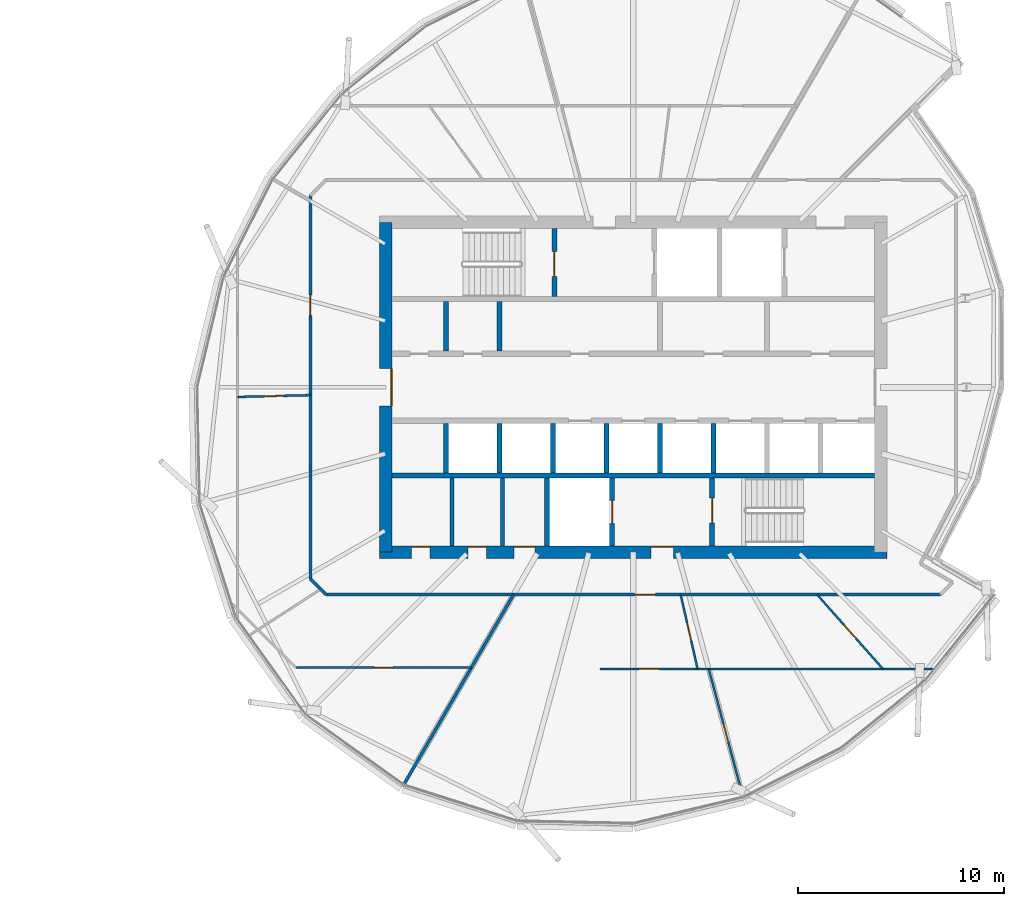
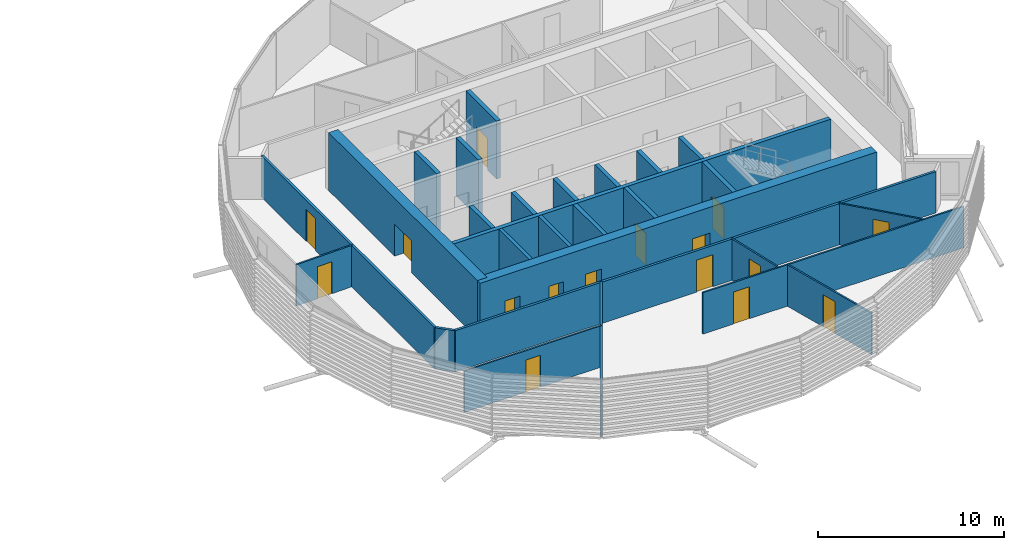
# One storey, part 22 of 37: 28 walls, 16 doors, 16 openings.
"""IFC4 building model written with IfcOpenShell, lengths in metres."""

from ifc_helpers import new_model, si_unit, direction, frame, frame_2d, origin, place, context, subcontext, project, spatial, rectangle, extrude, material, layer, layer_set, type_object, element, fill, save


model = new_model("IFC4")

# Units and contexts
model_context = context("Model", 3, precision=1e-05, world=origin(), true_north=direction((0.0, 1.0)))
body_context = subcontext(model_context, "Body", "Model", "MODEL_VIEW")
ifc_project = project(units=[si_unit("LENGTHUNIT", "METRE"), si_unit("AREAUNIT", "SQUARE_METRE"), si_unit("VOLUMEUNIT", "CUBIC_METRE"), si_unit("PLANEANGLEUNIT", "RADIAN"), si_unit("MASSUNIT", "GRAM", prefix="KILO")], contexts=[model_context])

# Site, building, storey
site_placement = place(None, origin())
site = spatial("IfcSite", under=ifc_project, at=site_placement, CompositionType="ELEMENT")
building_placement = place(site_placement, origin())
building = spatial("IfcBuilding", under=site, at=building_placement, Name="Rimbun Link Towers", CompositionType="ELEMENT")
storey_placement = place(building_placement, frame((0.0, 0.0, 166.5)))
storey = spatial("IfcBuildingStorey", under=building, at=storey_placement, Name="L40", CompositionType="ELEMENT", Elevation=166.5)

# Walls
ifc_material_1 = material(Name="Masonry blockwork", Category="masonry")
ifc_layer_1 = layer(ifc_material_1, 0.199951171875)
ifc_layer_set_1 = layer_set([ifc_layer_1], Name="Core partition 200")
wall_type_1 = type_object("IfcWallType", Name="Core partition 200", PredefinedType="PARTITIONING", material=ifc_layer_set_1)
for number, where, z_axis, x_axis, name in (
    (1, (22.949951171875, -4.39990234375, 0.0), (0.0, 0.0, 1.0), (0.0, -1.0, 0.0), "L40 T2 core wall C1"),
    (2, (25.39990234375, -4.39990234375, 0.0), (0.0, 0.0, 1.0), (0.0, -1.0, 0.0), "L40 T2 core wall C2"),
):
    element("IfcWall", number, at=place(storey_placement, frame(where, z_axis=z_axis, x_axis=x_axis)), inside=storey, type_object=wall_type_1, Name=name, PredefinedType="PARTITIONING", context=body_context, shape_type="SweptSolid", body=[
        extrude(rectangle(XDim=3.300048828125, YDim=0.199951171875, at=frame_2d((1.64990234375, 0.0))), origin(), (0.0, 0.0, 1.0), 3.800048828125),
    ])

# Wall, openings, doors
ifc_material_2 = material(Name="Concrete C60/75", Category="concrete")
ifc_layer_2 = layer(ifc_material_2, 0.60009765625)
ifc_layer_set_2 = layer_set([ifc_layer_2], Name="Core shear wall 600")
wall_type_2 = type_object("IfcWallType", Name="Core shear wall 600", PredefinedType="SHEAR", material=ifc_layer_set_2)
wall_1_placement = place(storey_placement, frame((19.449951171875, -8.0, 0.0), z_axis=(0.0, 0.0, 1.0), x_axis=(1.0, 0.0, 0.0)))
wall_1 = element("IfcWall", 3, at=wall_1_placement, inside=storey, type_object=wall_type_2, Name="L40 T2 core wall S", PredefinedType="SHEAR", context=body_context, shape_type="SweptSolid", body=[
    extrude(rectangle(XDim=24.60009765625, YDim=0.60009765625, at=frame_2d((12.300048828125, 0.0))), origin(), (0.0, 0.0, 1.0), 3.800048828125),
])
opening_1_placement = place(wall_1_placement, frame((13.14990234375, 0.0, 0.0)))
opening_1 = element("IfcOpeningElement", 4, at=opening_1_placement, cuts=wall_1, Name="Opening C2DCF01S", PredefinedType="OPENING", context=body_context, shape_type="SweptSolid", body=[
    extrude(rectangle(XDim=1.10009765625, YDim=2.10009765625, at=frame_2d((0.550048828125, 1.050048828125))), frame((0.0, 0.31005859375, 0.0), z_axis=(0.0, -1.0, 0.0), x_axis=(1.0, 0.0, 0.0)), (0.0, 0.0, 1.0), 0.6201171875),
])
opening_2_placement = place(wall_1_placement, frame((1.550048828125, 0.0, 0.0)))
opening_2 = element("IfcOpeningElement", 5, at=opening_2_placement, cuts=wall_1, Name="Opening C2DWC02S", PredefinedType="OPENING", context=body_context, shape_type="SweptSolid", body=[
    extrude(rectangle(XDim=0.89990234375, YDim=2.10009765625, at=frame_2d((0.449951171875, 1.050048828125))), frame((0.0, 0.31005859375, 0.0), z_axis=(0.0, -1.0, 0.0), x_axis=(1.0, 0.0, 0.0)), (0.0, 0.0, 1.0), 0.6201171875),
])
opening_3_placement = place(wall_1_placement, frame((4.27490234375, 0.0, 0.0)))
opening_3 = element("IfcOpeningElement", 6, at=opening_3_placement, cuts=wall_1, Name="Opening C2DWC03S", PredefinedType="OPENING", context=body_context, shape_type="SweptSolid", body=[
    extrude(rectangle(XDim=0.89990234375, YDim=2.10009765625, at=frame_2d((0.449951171875, 1.050048828125))), frame((0.0, 0.31005859375, 0.0), z_axis=(0.0, -1.0, 0.0), x_axis=(1.0, 0.0, 0.0)), (0.0, 0.0, 1.0), 0.6201171875),
])
opening_4_placement = place(wall_1_placement, frame((6.52490234375, 0.0, 0.0)))
opening_4 = element("IfcOpeningElement", 7, at=opening_4_placement, cuts=wall_1, Name="Opening C2DAW04S", PredefinedType="OPENING", context=body_context, shape_type="SweptSolid", body=[
    extrude(rectangle(XDim=1.0, YDim=2.10009765625, at=frame_2d((0.5, 1.050048828125))), frame((0.0, 0.31005859375, 0.0), z_axis=(0.0, -1.0, 0.0), x_axis=(1.0, 0.0, 0.0)), (0.0, 0.0, 1.0), 0.6201171875),
])
ifc_material_3 = material(Name="Timber", Category="wood")
door_type_1 = type_object("IfcDoorType", Name="Accessible WC door", OperationType="SINGLE_SWING_LEFT", PredefinedType="DOOR", material=ifc_material_3)
door_1_placement = place(opening_4_placement, origin())
door_1 = element("IfcDoor", 8, at=door_1_placement, inside=storey, type_object=door_type_1, Name="L40 T2 accessible wc door", OperationType="SINGLE_SWING_RIGHT", OverallHeight=2.10009765625, OverallWidth=1.0, PredefinedType="DOOR", context=body_context, shape_type="SweptSolid", body=[
    extrude(rectangle(XDim=1.0, YDim=2.10009765625, at=frame_2d((0.5, 1.050048828125))), frame((0.0, 0.2998046875, 0.0), z_axis=(0.0, -1.0, 0.0), x_axis=(1.0, 0.0, 0.0)), (0.0, 0.0, 1.0), 0.050048828125),
])
fill(opening_4, door_1)
ifc_material_4 = material(Name="Steel fire door set", Category="steel")
door_type_2 = type_object("IfcDoorType", Name="Core fire door single", OperationType="SINGLE_SWING_LEFT", PredefinedType="DOOR", material=ifc_material_4)
door_2_placement = place(opening_1_placement, origin())
door_2 = element("IfcDoor", 9, at=door_2_placement, inside=storey, type_object=door_type_2, Name="L40 T2 firefighting lobby s door", OperationType="SINGLE_SWING_RIGHT", OverallHeight=2.10009765625, OverallWidth=1.10009765625, PredefinedType="DOOR", context=body_context, shape_type="SweptSolid", body=[
    extrude(rectangle(XDim=1.10009765625, YDim=2.10009765625, at=frame_2d((0.550048828125, 1.050048828125))), frame((0.0, 0.2998046875, 0.0), z_axis=(0.0, -1.0, 0.0), x_axis=(1.0, 0.0, 0.0)), (0.0, 0.0, 1.0), 0.050048828125),
])
fill(opening_1, door_2)
ifc_material_5 = material(Name="Timber", Category="wood")
door_type_3 = type_object("IfcDoorType", Name="WC door", OperationType="SINGLE_SWING_LEFT", PredefinedType="DOOR", material=ifc_material_5)
door_3_placement = place(opening_2_placement, origin())
door_3 = element("IfcDoor", 10, at=door_3_placement, inside=storey, type_object=door_type_3, Name="L40 T2 male wc door", OperationType="SINGLE_SWING_RIGHT", OverallHeight=2.10009765625, OverallWidth=0.89990234375, PredefinedType="DOOR", context=body_context, shape_type="SweptSolid", body=[
    extrude(rectangle(XDim=0.89990234375, YDim=2.10009765625, at=frame_2d((0.449951171875, 1.050048828125))), frame((0.0, 0.2998046875, 0.0), z_axis=(0.0, -1.0, 0.0), x_axis=(1.0, 0.0, 0.0)), (0.0, 0.0, 1.0), 0.050048828125),
])
fill(opening_2, door_3)
door_4_placement = place(opening_3_placement, origin())
door_4 = element("IfcDoor", 11, at=door_4_placement, inside=storey, type_object=door_type_3, Name="L40 T2 female wc door", OperationType="SINGLE_SWING_LEFT", OverallHeight=2.10009765625, OverallWidth=0.89990234375, PredefinedType="DOOR", context=body_context, shape_type="SweptSolid", body=[
    extrude(rectangle(XDim=0.89990234375, YDim=2.10009765625, at=frame_2d((0.449951171875, 1.050048828125))), frame((0.0, 0.2998046875, 0.0), z_axis=(0.0, -1.0, 0.0), x_axis=(1.0, 0.0, 0.0)), (0.0, 0.0, 1.0), 0.050048828125),
])
fill(opening_3, door_4)

# Wall, opening, door
wall_2_placement = place(storey_placement, frame((19.75, -8.0, 0.0), z_axis=(0.0, 0.0, 1.0), x_axis=(0.0, 1.0, 0.0)))
wall_2 = element("IfcWall", 12, at=wall_2_placement, inside=storey, type_object=wall_type_2, Name="L40 T2 core wall W", PredefinedType="SHEAR", context=body_context, shape_type="SweptSolid", body=[
    extrude(rectangle(XDim=16.0, YDim=0.60009765625, at=frame_2d((8.0, 0.0))), origin(), (0.0, 0.0, 1.0), 3.800048828125),
])
opening_5_placement = place(wall_2_placement, frame((7.10009765625, 0.0, 0.0)))
opening_5 = element("IfcOpeningElement", 13, at=opening_5_placement, cuts=wall_2, Name="Opening C2DCL01W", PredefinedType="OPENING", context=body_context, shape_type="SweptSolid", body=[
    extrude(rectangle(XDim=1.800048828125, YDim=2.10009765625, at=frame_2d((0.89990234375, 1.050048828125))), frame((0.0, 0.31005859375, 0.0), z_axis=(0.0, -1.0, 0.0), x_axis=(1.0, 0.0, 0.0)), (0.0, 0.0, 1.0), 0.6201171875),
])
ifc_material_6 = material(Name="Steel fire door set", Category="steel")
door_type_4 = type_object("IfcDoorType", Name="Core lobby door double", OperationType="DOUBLE_DOOR_SINGLE_SWING", PredefinedType="DOOR", material=ifc_material_6)
door_5_placement = place(opening_5_placement, origin())
door_5 = element("IfcDoor", 14, at=door_5_placement, inside=storey, type_object=door_type_4, Name="L40 T2 lift lobby door", OperationType="DOUBLE_DOOR_SINGLE_SWING", OverallHeight=2.10009765625, OverallWidth=1.800048828125, PredefinedType="DOOR", context=body_context, shape_type="SweptSolid", body=[
    extrude(rectangle(XDim=1.800048828125, YDim=2.10009765625, at=frame_2d((0.89990234375, 1.050048828125))), frame((0.0, -0.25, 0.0), z_axis=(0.0, -1.0, 0.0), x_axis=(1.0, 0.0, 0.0)), (0.0, 0.0, 1.0), 0.050048828125),
])
fill(opening_5, door_5)

ifc_material_7 = material(Name="Plasterboard on steel stud, mineral wool", Category="steel")
ifc_layer_3 = layer(ifc_material_7, 0.14990234375)
ifc_layer_set_3 = layer_set([ifc_layer_3], Name="Corridor wall EI 30 150 mm")
wall_type_3 = type_object("IfcWallType", Name="Corridor wall EI 30 150 mm", PredefinedType="PARTITIONING", material=ifc_layer_set_3)
wall_3_placement = place(storey_placement, frame((46.643798828125, -10.054931640625, 0.0), z_axis=(0.0, 0.0, 1.0), x_axis=(-1.0, 0.0, 0.0)))
wall_3 = element("IfcWall", 15, at=wall_3_placement, inside=storey, type_object=wall_type_3, Name="Corridor wall EI 30 150 mm", PredefinedType="PARTITIONING", context=body_context, shape_type="SweptSolid", body=[
    extrude(rectangle(XDim=29.78759765625, YDim=0.14990234375, at=frame_2d((14.893798828125, 0.0))), origin(), (0.0, 0.0, 1.0), 2.7119140625),
])
opening_6_placement = place(wall_3_placement, frame((13.826416015625, 0.0, 0.0)))
opening_6 = element("IfcOpeningElement", 16, at=opening_6_placement, cuts=wall_3, Name="Opening D01", PredefinedType="OPENING", context=body_context, shape_type="SweptSolid", body=[
    extrude(rectangle(XDim=1.0, YDim=2.10009765625, at=frame_2d((0.5, 1.050048828125))), frame((0.0, 0.0849609375, 0.0), z_axis=(0.0, -1.0, 0.0), x_axis=(1.0, 0.0, 0.0)), (0.0, 0.0, 1.0), 0.169921875),
])
ifc_material_8 = material(Name="Fire-resisting timber door leaf", Category="wood")
door_type_5 = type_object("IfcDoorType", Name="Fire door FD30S 1000", OperationType="NOTDEFINED", PredefinedType="DOOR", material=ifc_material_8)
door_6_placement = place(opening_6_placement, origin())
door_6 = element("IfcDoor", 17, at=door_6_placement, inside=storey, type_object=door_type_5, Name="Fire door FD30S 1000 to Tenant lobby", OperationType="SINGLE_SWING_RIGHT", OverallHeight=2.10009765625, OverallWidth=1.0, PredefinedType="DOOR", context=body_context, shape_type="SweptSolid", body=[
    extrude(rectangle(XDim=1.0, YDim=2.10009765625, at=frame_2d((0.5, 1.050048828125))), frame((0.0, 0.02490234375, 0.0), z_axis=(0.0, -1.0, 0.0), x_axis=(1.0, 0.0, 0.0)), (0.0, 0.0, 1.0), 0.050048828125),
])
fill(opening_6, door_6)

# Wall
wall_4_placement = place(storey_placement, frame((16.094970703125, -9.293701171875, 0.0), z_axis=(0.0, 0.0, 1.0), x_axis=(0.707106781187, -0.707106781187, 0.0)))
element("IfcWall", 18, at=wall_4_placement, inside=storey, type_object=wall_type_3, Name="Corridor wall EI 30 150 mm", PredefinedType="PARTITIONING", context=body_context, shape_type="SweptSolid", body=[
    extrude(rectangle(XDim=1.07666015625, YDim=0.14990234375, at=frame_2d((0.538330078125, 0.0))), origin(), (0.0, 0.0, 1.0), 2.7119140625),
])

# Wall, opening, door
wall_5_placement = place(storey_placement, frame((16.094970703125, -9.293701171875, 0.0), z_axis=(0.0, 0.0, 1.0), x_axis=(0.0, 1.0, 0.0)))
wall_5 = element("IfcWall", 19, at=wall_5_placement, inside=storey, type_object=wall_type_3, Name="Corridor wall EI 30 150 mm", PredefinedType="PARTITIONING", context=body_context, shape_type="SweptSolid", body=[
    extrude(rectangle(XDim=18.58740234375, YDim=0.14990234375, at=frame_2d((9.293701171875, 0.0))), origin(), (0.0, 0.0, 1.0), 2.7119140625),
])
opening_7_placement = place(wall_5_placement, frame((12.767333984375, 0.0, 0.0)))
opening_7 = element("IfcOpeningElement", 20, at=opening_7_placement, cuts=wall_5, Name="Opening D01", PredefinedType="OPENING", context=body_context, shape_type="SweptSolid", body=[
    extrude(rectangle(XDim=1.0, YDim=2.10009765625, at=frame_2d((0.5, 1.050048828125))), frame((0.0, 0.0849609375, 0.0), z_axis=(0.0, -1.0, 0.0), x_axis=(1.0, 0.0, 0.0)), (0.0, 0.0, 1.0), 0.169921875),
])
door_7_placement = place(opening_7_placement, origin())
door_7 = element("IfcDoor", 21, at=door_7_placement, inside=storey, type_object=door_type_5, Name="Fire door FD30S 1000 to Tenant lobby", OperationType="SINGLE_SWING_LEFT", OverallHeight=2.10009765625, OverallWidth=1.0, PredefinedType="DOOR", context=body_context, shape_type="SweptSolid", body=[
    extrude(rectangle(XDim=1.0, YDim=2.10009765625, at=frame_2d((0.5, 1.050048828125))), frame((0.0, 0.02490234375, 0.0), z_axis=(0.0, -1.0, 0.0), x_axis=(1.0, 0.0, 0.0)), (0.0, 0.0, 1.0), 0.050048828125),
])
fill(opening_7, door_7)

ifc_material_9 = material(Name="Plasterboard on steel stud", Category="steel")
ifc_layer_4 = layer(ifc_material_9, 0.10009765625)
ifc_layer_set_4 = layer_set([ifc_layer_4], Name="Plasterboard partition 100 mm")
wall_type_4 = type_object("IfcWallType", Name="Plasterboard partition 100 mm", PredefinedType="PARTITIONING", material=ifc_layer_set_4)
wall_6_placement = place(storey_placement, frame((16.094970703125, -0.382568359375, 0.0), z_axis=(0.0, 0.0, 1.0), x_axis=(-0.999702116508, -0.024406520638, 0.0)))
wall_6 = element("IfcWall", 22, at=wall_6_placement, inside=storey, type_object=wall_type_4, Name="Plasterboard partition 100 mm", PredefinedType="PARTITIONING", context=body_context, shape_type="SweptSolid", body=[
    extrude(rectangle(XDim=3.541015625, YDim=0.10009765625, at=frame_2d((1.7705078125, 0.0))), origin(), (0.0, 0.0, 1.0), 2.7119140625),
])
opening_8_placement = place(wall_6_placement, frame((1.320556640625, 0.0, 0.0)))
opening_8 = element("IfcOpeningElement", 23, at=opening_8_placement, cuts=wall_6, Name="Opening D04", PredefinedType="OPENING", context=body_context, shape_type="SweptSolid", body=[
    extrude(rectangle(XDim=0.89990234375, YDim=2.10009765625, at=frame_2d((0.449951171875, 1.050048828125))), frame((0.0, 0.06005859375, 0.0), z_axis=(0.0, -1.0, 0.0), x_axis=(1.0, 0.0, 0.0)), (0.0, 0.0, 1.0), 0.1201171875),
])
ifc_material_10 = material(Name="Timber door leaf", Category="wood")
door_type_6 = type_object("IfcDoorType", Name="Flush door 900", OperationType="NOTDEFINED", PredefinedType="DOOR", material=ifc_material_10)
door_8_placement = place(opening_8_placement, origin())
door_8 = element("IfcDoor", 24, at=door_8_placement, inside=storey, type_object=door_type_6, Name="Flush door 900 to Data room", OperationType="SINGLE_SWING_LEFT", OverallHeight=2.10009765625, OverallWidth=0.89990234375, PredefinedType="DOOR", context=body_context, shape_type="SweptSolid", body=[
    extrude(rectangle(XDim=0.89990234375, YDim=2.10009765625, at=frame_2d((0.449951171875, 1.050048828125))), frame((0.0, 0.02490234375, 0.0), z_axis=(0.0, -1.0, 0.0), x_axis=(1.0, 0.0, 0.0)), (0.0, 0.0, 1.0), 0.050048828125),
])
fill(opening_8, door_8)

wall_7_placement = place(storey_placement, frame((15.389892578125, -13.594970703125, 0.0), z_axis=(0.0, 0.0, 1.0), x_axis=(1.0, 0.0, 0.0)))
wall_7 = element("IfcWall", 25, at=wall_7_placement, inside=storey, type_object=wall_type_4, Name="Plasterboard partition 100 mm", PredefinedType="PARTITIONING", context=body_context, shape_type="SweptSolid", body=[
    extrude(rectangle(XDim=8.510986328125, YDim=0.10009765625, at=frame_2d((4.25537109375, 0.0))), origin(), (0.0, 0.0, 1.0), 2.7119140625),
])
opening_9_placement = place(wall_7_placement, frame((3.805419921875, 0.0, 0.0)))
opening_9 = element("IfcOpeningElement", 26, at=opening_9_placement, cuts=wall_7, Name="Opening D04", PredefinedType="OPENING", context=body_context, shape_type="SweptSolid", body=[
    extrude(rectangle(XDim=0.89990234375, YDim=2.10009765625, at=frame_2d((0.449951171875, 1.050048828125))), frame((0.0, 0.06005859375, 0.0), z_axis=(0.0, -1.0, 0.0), x_axis=(1.0, 0.0, 0.0)), (0.0, 0.0, 1.0), 0.1201171875),
])
door_9_placement = place(opening_9_placement, origin())
door_9 = element("IfcDoor", 27, at=door_9_placement, inside=storey, type_object=door_type_6, Name="Flush door 900 to Communications room", OperationType="SINGLE_SWING_RIGHT", OverallHeight=2.10009765625, OverallWidth=0.89990234375, PredefinedType="DOOR", context=body_context, shape_type="SweptSolid", body=[
    extrude(rectangle(XDim=0.89990234375, YDim=2.10009765625, at=frame_2d((0.449951171875, 1.050048828125))), frame((0.0, 0.02490234375, 0.0), z_axis=(0.0, -1.0, 0.0), x_axis=(1.0, 0.0, 0.0)), (0.0, 0.0, 1.0), 0.050048828125),
])
fill(opening_9, door_9)

wall_8_placement = place(storey_placement, frame((34.04833984375, -10.054931640625, 0.0), z_axis=(0.0, 0.0, 1.0), x_axis=(0.222792489794, -0.974865891542, 0.0)))
wall_8 = element("IfcWall", 28, at=wall_8_placement, inside=storey, type_object=wall_type_4, Name="Plasterboard partition 100 mm", PredefinedType="PARTITIONING", context=body_context, shape_type="SweptSolid", body=[
    extrude(rectangle(XDim=3.69287109375, YDim=0.10009765625, at=frame_2d((1.846435546875, 0.0))), origin(), (0.0, 0.0, 1.0), 2.7119140625),
])
opening_10_placement = place(wall_8_placement, frame((1.396484375, 0.0, 0.0)))
opening_10 = element("IfcOpeningElement", 29, at=opening_10_placement, cuts=wall_8, Name="Opening D04", PredefinedType="OPENING", context=body_context, shape_type="SweptSolid", body=[
    extrude(rectangle(XDim=0.89990234375, YDim=2.10009765625, at=frame_2d((0.449951171875, 1.050048828125))), frame((0.0, 0.06005859375, 0.0), z_axis=(0.0, -1.0, 0.0), x_axis=(1.0, 0.0, 0.0)), (0.0, 0.0, 1.0), 0.1201171875),
])
door_10_placement = place(opening_10_placement, origin())
door_10 = element("IfcDoor", 30, at=door_10_placement, inside=storey, type_object=door_type_6, Name="Flush door 900 to Huddle room", OperationType="SINGLE_SWING_LEFT", OverallHeight=2.10009765625, OverallWidth=0.89990234375, PredefinedType="DOOR", context=body_context, shape_type="SweptSolid", body=[
    extrude(rectangle(XDim=0.89990234375, YDim=2.10009765625, at=frame_2d((0.449951171875, 1.050048828125))), frame((0.0, 0.02490234375, 0.0), z_axis=(0.0, -1.0, 0.0), x_axis=(1.0, 0.0, 0.0)), (0.0, 0.0, 1.0), 0.050048828125),
])
fill(opening_10, door_10)

wall_9_placement = place(storey_placement, frame((35.40869140625, -13.655029296875, 0.0), z_axis=(0.0, 0.0, 1.0), x_axis=(-1.0, 0.0, 0.0)))
wall_9 = element("IfcWall", 31, at=wall_9_placement, inside=storey, type_object=wall_type_4, Name="Plasterboard partition 100 mm", PredefinedType="PARTITIONING", context=body_context, shape_type="SweptSolid", body=[
    extrude(rectangle(XDim=5.269287109375, YDim=0.10009765625, at=frame_2d((2.634765625, 0.0))), origin(), (0.0, 0.0, 1.0), 2.7119140625),
])
opening_11_placement = place(wall_9_placement, frame((2.388427734375, 0.0, 0.0)))
opening_11 = element("IfcOpeningElement", 32, at=opening_11_placement, cuts=wall_9, Name="Opening D03", PredefinedType="OPENING", context=body_context, shape_type="SweptSolid", body=[
    extrude(rectangle(XDim=1.0, YDim=2.10009765625, at=frame_2d((0.5, 1.050048828125))), frame((0.0, 0.06005859375, 0.0), z_axis=(0.0, -1.0, 0.0), x_axis=(1.0, 0.0, 0.0)), (0.0, 0.0, 1.0), 0.1201171875),
])
ifc_material_11 = material(Name="Timber door leaf", Category="wood")
door_type_7 = type_object("IfcDoorType", Name="Flush door 1000", OperationType="NOTDEFINED", PredefinedType="DOOR", material=ifc_material_11)
door_11_placement = place(opening_11_placement, origin())
door_11 = element("IfcDoor", 33, at=door_11_placement, inside=storey, type_object=door_type_7, Name="Flush door 1000 to Open office", OperationType="SINGLE_SWING_RIGHT", OverallHeight=2.10009765625, OverallWidth=1.0, PredefinedType="DOOR", context=body_context, shape_type="SweptSolid", body=[
    extrude(rectangle(XDim=1.0, YDim=2.10009765625, at=frame_2d((0.5, 1.050048828125))), frame((0.0, 0.02490234375, 0.0), z_axis=(0.0, -1.0, 0.0), x_axis=(1.0, 0.0, 0.0)), (0.0, 0.0, 1.0), 0.050048828125),
])
fill(opening_11, door_11)

wall_10_placement = place(storey_placement, frame((40.6650390625, -10.054931640625, 0.0), z_axis=(0.0, 0.0, 1.0), x_axis=(0.663383723139, -0.748279383569, 0.0)))
wall_10 = element("IfcWall", 34, at=wall_10_placement, inside=storey, type_object=wall_type_4, Name="Plasterboard partition 100 mm", PredefinedType="PARTITIONING", context=body_context, shape_type="SweptSolid", body=[
    extrude(rectangle(XDim=4.811279296875, YDim=0.10009765625, at=frame_2d((2.40576171875, 0.0))), origin(), (0.0, 0.0, 1.0), 2.7119140625),
])
opening_12_placement = place(wall_10_placement, frame((1.95556640625, 0.0, 0.0)))
opening_12 = element("IfcOpeningElement", 35, at=opening_12_placement, cuts=wall_10, Name="Opening D04", PredefinedType="OPENING", context=body_context, shape_type="SweptSolid", body=[
    extrude(rectangle(XDim=0.89990234375, YDim=2.10009765625, at=frame_2d((0.449951171875, 1.050048828125))), frame((0.0, 0.06005859375, 0.0), z_axis=(0.0, -1.0, 0.0), x_axis=(1.0, 0.0, 0.0)), (0.0, 0.0, 1.0), 0.1201171875),
])
door_12_placement = place(opening_12_placement, origin())
door_12 = element("IfcDoor", 36, at=door_12_placement, inside=storey, type_object=door_type_6, Name="Flush door 900 to Huddle room", OperationType="SINGLE_SWING_LEFT", OverallHeight=2.10009765625, OverallWidth=0.89990234375, PredefinedType="DOOR", context=body_context, shape_type="SweptSolid", body=[
    extrude(rectangle(XDim=0.89990234375, YDim=2.10009765625, at=frame_2d((0.449951171875, 1.050048828125))), frame((0.0, 0.02490234375, 0.0), z_axis=(0.0, -1.0, 0.0), x_axis=(1.0, 0.0, 0.0)), (0.0, 0.0, 1.0), 0.050048828125),
])
fill(opening_12, door_12)

# Wall
wall_11_placement = place(storey_placement, frame((35.40869140625, -13.655029296875, 0.0), z_axis=(0.0, 0.0, 1.0), x_axis=(1.0, 0.0, 0.0)))
element("IfcWall", 37, at=wall_11_placement, inside=storey, type_object=wall_type_4, Name="Plasterboard partition 100 mm", PredefinedType="PARTITIONING", context=body_context, shape_type="SweptSolid", body=[
    extrude(rectangle(XDim=10.918701171875, YDim=0.10009765625, at=frame_2d((5.45947265625, 0.0))), origin(), (0.0, 0.0, 1.0), 2.7119140625),
])

# Wall, opening, door
wall_12_placement = place(storey_placement, frame((35.40869140625, -13.655029296875, 0.0), z_axis=(0.0, 0.0, 1.0), x_axis=(0.258831074452, -0.965922602954, 0.0)))
wall_12 = element("IfcWall", 38, at=wall_12_placement, inside=storey, type_object=wall_type_4, Name="Plasterboard partition 100 mm", PredefinedType="PARTITIONING", context=body_context, shape_type="SweptSolid", body=[
    extrude(rectangle(XDim=6.423583984375, YDim=0.10009765625, at=frame_2d((3.2119140625, 0.0))), origin(), (0.0, 0.0, 1.0), 2.7119140625),
])
opening_13_placement = place(wall_12_placement, frame((2.76171875, 0.0, 0.0)))
opening_13 = element("IfcOpeningElement", 39, at=opening_13_placement, cuts=wall_12, Name="Opening D04", PredefinedType="OPENING", context=body_context, shape_type="SweptSolid", body=[
    extrude(rectangle(XDim=0.89990234375, YDim=2.10009765625, at=frame_2d((0.449951171875, 1.050048828125))), frame((0.0, 0.06005859375, 0.0), z_axis=(0.0, -1.0, 0.0), x_axis=(1.0, 0.0, 0.0)), (0.0, 0.0, 1.0), 0.1201171875),
])
door_13_placement = place(opening_13_placement, origin())
door_13 = element("IfcDoor", 40, at=door_13_placement, inside=storey, type_object=door_type_6, Name="Flush door 900 to Project room", OperationType="SINGLE_SWING_LEFT", OverallHeight=2.10009765625, OverallWidth=0.89990234375, PredefinedType="DOOR", context=body_context, shape_type="SweptSolid", body=[
    extrude(rectangle(XDim=0.89990234375, YDim=2.10009765625, at=frame_2d((0.449951171875, 1.050048828125))), frame((0.0, 0.02490234375, 0.0), z_axis=(0.0, -1.0, 0.0), x_axis=(1.0, 0.0, 0.0)), (0.0, 0.0, 1.0), 0.050048828125),
])
fill(opening_13, door_13)

# Walls
ifc_material_12 = material(Name="Concrete C60/75", Category="concrete")
ifc_layer_5 = layer(ifc_material_12, 0.25)
ifc_layer_set_5 = layer_set([ifc_layer_5], Name="Shaft wall 250")
wall_type_5 = type_object("IfcWallType", Name="Shaft wall 250", PredefinedType="SHEAR", material=ifc_layer_set_5)
wall_13_placement = place(storey_placement, frame((20.050048828125, -4.27490234375, 0.0), z_axis=(0.0, 0.0, 1.0), x_axis=(1.0, 0.0, 0.0)))
element("IfcWall", 41, at=wall_13_placement, inside=storey, type_object=wall_type_5, Name="L40 T2 core wall BS", PredefinedType="SHEAR", context=body_context, shape_type="SweptSolid", body=[
    extrude(rectangle(XDim=23.39990234375, YDim=0.25, at=frame_2d((11.699951171875, 0.0))), origin(), (0.0, 0.0, 1.0), 3.800048828125),
])
for number, where, z_axis, x_axis, name in (
    (42, (22.66943359375, 1.75, 0.0), (0.0, 0.0, 1.0), (0.0, 1.0, 0.0), "L40 T2 core wall DN0"),
    (43, (25.263916015625, 1.75, 0.0), (0.0, 0.0, 1.0), (0.0, 1.0, 0.0), "L40 T2 core wall DN1"),
    (44, (22.66943359375, -4.14990234375, 0.0), (0.0, 0.0, 1.0), (0.0, 1.0, 0.0), "L40 T2 core wall DS0"),
    (45, (25.263916015625, -4.14990234375, 0.0), (0.0, 0.0, 1.0), (0.0, 1.0, 0.0), "L40 T2 core wall DS1"),
    (46, (27.8583984375, -4.14990234375, 0.0), (0.0, 0.0, 1.0), (0.0, 1.0, 0.0), "L40 T2 core wall DS2"),
    (47, (30.452880859375, -4.14990234375, 0.0), (0.0, 0.0, 1.0), (0.0, 1.0, 0.0), "L40 T2 core wall DS3"),
    (48, (33.047119140625, -4.14990234375, 0.0), (0.0, 0.0, 1.0), (0.0, 1.0, 0.0), "L40 T2 core wall DS4"),
    (49, (35.6416015625, -4.14990234375, 0.0), (0.0, 0.0, 1.0), (0.0, 1.0, 0.0), "L40 T2 core wall DS5"),
):
    element("IfcWall", number, at=place(storey_placement, frame(where, z_axis=z_axis, x_axis=x_axis)), inside=storey, type_object=wall_type_5, Name=name, PredefinedType="SHEAR", context=body_context, shape_type="SweptSolid", body=[
        extrude(rectangle(XDim=2.39990234375, YDim=0.25, at=frame_2d((1.199951171875, 0.0))), origin(), (0.0, 0.0, 1.0), 3.800048828125),
    ])

# Wall, opening, door
wall_14_placement = place(storey_placement, frame((27.925048828125, 4.39990234375, 0.0), z_axis=(0.0, 0.0, 1.0), x_axis=(0.0, 1.0, 0.0)))
wall_14 = element("IfcWall", 50, at=wall_14_placement, inside=storey, type_object=wall_type_5, Name="L40 T2 core wall A1", PredefinedType="SHEAR", context=body_context, shape_type="SweptSolid", body=[
    extrude(rectangle(XDim=3.300048828125, YDim=0.25, at=frame_2d((1.64990234375, 0.0))), origin(), (0.0, 0.0, 1.0), 3.800048828125),
])
opening_14_placement = place(wall_14_placement, frame((0.97509765625, 0.0, 0.0)))
opening_14 = element("IfcOpeningElement", 51, at=opening_14_placement, cuts=wall_14, Name="Opening C2DST01A1", PredefinedType="OPENING", context=body_context, shape_type="SweptSolid", body=[
    extrude(rectangle(XDim=1.199951171875, YDim=2.10009765625, at=frame_2d((0.60009765625, 1.050048828125))), frame((0.0, 0.135009765625, 0.0), z_axis=(0.0, -1.0, 0.0), x_axis=(1.0, 0.0, 0.0)), (0.0, 0.0, 1.0), 0.27001953125),
])
ifc_material_13 = material(Name="Steel fire door set", Category="steel")
door_type_8 = type_object("IfcDoorType", Name="Stair door", OperationType="SINGLE_SWING_LEFT", PredefinedType="DOOR", material=ifc_material_13)
door_14_placement = place(opening_14_placement, origin())
door_14 = element("IfcDoor", 52, at=door_14_placement, inside=storey, type_object=door_type_8, Name="L40 T2 stair a door", OperationType="SINGLE_SWING_LEFT", OverallHeight=2.10009765625, OverallWidth=1.199951171875, PredefinedType="DOOR", context=body_context, shape_type="SweptSolid", body=[
    extrude(rectangle(XDim=1.199951171875, YDim=2.10009765625, at=frame_2d((0.60009765625, 1.050048828125))), frame((0.0, 0.02490234375, 0.0), z_axis=(0.0, -1.0, 0.0), x_axis=(1.0, 0.0, 0.0)), (0.0, 0.0, 1.0), 0.050048828125),
])
fill(opening_14, door_14)

wall_15_placement = place(storey_placement, frame((35.574951171875, -4.39990234375, 0.0), z_axis=(0.0, 0.0, 1.0), x_axis=(0.0, -1.0, 0.0)))
wall_15 = element("IfcWall", 53, at=wall_15_placement, inside=storey, type_object=wall_type_5, Name="L40 T2 core wall B1", PredefinedType="SHEAR", context=body_context, shape_type="SweptSolid", body=[
    extrude(rectangle(XDim=3.300048828125, YDim=0.25, at=frame_2d((1.64990234375, 0.0))), origin(), (0.0, 0.0, 1.0), 3.800048828125),
])
opening_15_placement = place(wall_15_placement, frame((0.97509765625, 0.0, 0.0)))
opening_15 = element("IfcOpeningElement", 54, at=opening_15_placement, cuts=wall_15, Name="Opening C2DST01B1", PredefinedType="OPENING", context=body_context, shape_type="SweptSolid", body=[
    extrude(rectangle(XDim=1.199951171875, YDim=2.10009765625, at=frame_2d((0.60009765625, 1.050048828125))), frame((0.0, 0.135009765625, 0.0), z_axis=(0.0, -1.0, 0.0), x_axis=(1.0, 0.0, 0.0)), (0.0, 0.0, 1.0), 0.27001953125),
])
door_15_placement = place(opening_15_placement, origin())
door_15 = element("IfcDoor", 55, at=door_15_placement, inside=storey, type_object=door_type_8, Name="L40 T2 stair b door", OperationType="SINGLE_SWING_RIGHT", OverallHeight=2.10009765625, OverallWidth=1.199951171875, PredefinedType="DOOR", context=body_context, shape_type="SweptSolid", body=[
    extrude(rectangle(XDim=1.199951171875, YDim=2.10009765625, at=frame_2d((0.60009765625, 1.050048828125))), frame((0.0, 0.02490234375, 0.0), z_axis=(0.0, -1.0, 0.0), x_axis=(1.0, 0.0, 0.0)), (0.0, 0.0, 1.0), 0.050048828125),
])
fill(opening_15, door_15)

wall_16_placement = place(storey_placement, frame((30.72509765625, -4.39990234375, 0.0), z_axis=(0.0, 0.0, 1.0), x_axis=(0.0, -1.0, 0.0)))
wall_16 = element("IfcWall", 56, at=wall_16_placement, inside=storey, type_object=wall_type_5, Name="L40 T2 core wall B2", PredefinedType="SHEAR", context=body_context, shape_type="SweptSolid", body=[
    extrude(rectangle(XDim=3.300048828125, YDim=0.25, at=frame_2d((1.64990234375, 0.0))), origin(), (0.0, 0.0, 1.0), 3.800048828125),
])
opening_16_placement = place(wall_16_placement, frame((1.10009765625, 0.0, 0.0)))
opening_16 = element("IfcOpeningElement", 57, at=opening_16_placement, cuts=wall_16, Name="Opening LD-T2-FF2", PredefinedType="OPENING", context=body_context, shape_type="SweptSolid", body=[
    extrude(rectangle(XDim=1.10009765625, YDim=2.10009765625, at=frame_2d((0.550048828125, 1.050048828125))), frame((0.0, 0.135009765625, 0.0), z_axis=(0.0, -1.0, 0.0), x_axis=(1.0, 0.0, 0.0)), (0.0, 0.0, 1.0), 0.27001953125),
])
ifc_material_14 = material(Name="Stainless steel grade 316", Category="steel")
door_type_9 = type_object("IfcDoorType", Name="Lift landing door", OperationType="DOUBLE_DOOR_SLIDING", PredefinedType="DOOR", material=ifc_material_14)
door_16_placement = place(opening_16_placement, origin())
door_16 = element("IfcDoor", 58, at=door_16_placement, inside=storey, type_object=door_type_9, Name="L40 T2 lift FF2 landing door", OperationType="DOUBLE_DOOR_SLIDING", OverallHeight=2.10009765625, OverallWidth=1.10009765625, PredefinedType="DOOR", context=body_context, shape_type="SweptSolid", body=[
    extrude(rectangle(XDim=1.10009765625, YDim=2.10009765625, at=frame_2d((0.550048828125, 1.050048828125))), frame((0.0, 0.02490234375, 0.0), z_axis=(0.0, -1.0, 0.0), x_axis=(1.0, 0.0, 0.0)), (0.0, 0.0, 1.0), 0.050048828125),
])
fill(opening_16, door_16)

# Walls
wall_17_placement = place(storey_placement, frame((27.574951171875, -4.39990234375, 0.0), z_axis=(0.0, 0.0, 1.0), x_axis=(0.0, -1.0, 0.0)))
element("IfcWall", 59, at=wall_17_placement, inside=storey, type_object=wall_type_5, Name="L40 T2 core wall B3", PredefinedType="SHEAR", context=body_context, shape_type="SweptSolid", body=[
    extrude(rectangle(XDim=3.300048828125, YDim=0.25, at=frame_2d((1.64990234375, 0.0))), origin(), (0.0, 0.0, 1.0), 3.800048828125),
])
ifc_material_15 = material(Name="Plasterboard on steel stud, mineral wool", Category="steel")
ifc_layer_6 = layer(ifc_material_15, 0.14990234375)
ifc_layer_set_6 = layer_set([ifc_layer_6], Name="Tenancy separation wall EI 60 150 mm")
wall_type_6 = type_object("IfcWallType", Name="Tenancy separation wall EI 60 150 mm", PredefinedType="PARTITIONING", material=ifc_layer_set_6)
wall_18_placement = place(storey_placement, frame((25.944580078125, -10.054931640625, 0.0), z_axis=(0.0, 0.0, 1.0), x_axis=(-0.499982733475, -0.866035372388, 0.0)))
element("IfcWall", 60, at=wall_18_placement, inside=storey, type_object=wall_type_6, Name="Tenancy separation wall EI 60 150 mm", PredefinedType="PARTITIONING", context=body_context, shape_type="SweptSolid", body=[
    extrude(rectangle(XDim=10.63671875, YDim=0.14990234375, at=frame_2d((5.318359375, 0.0))), origin(), (0.0, 0.0, 1.0), 2.7119140625),
])

save(model, "model.ifc")
